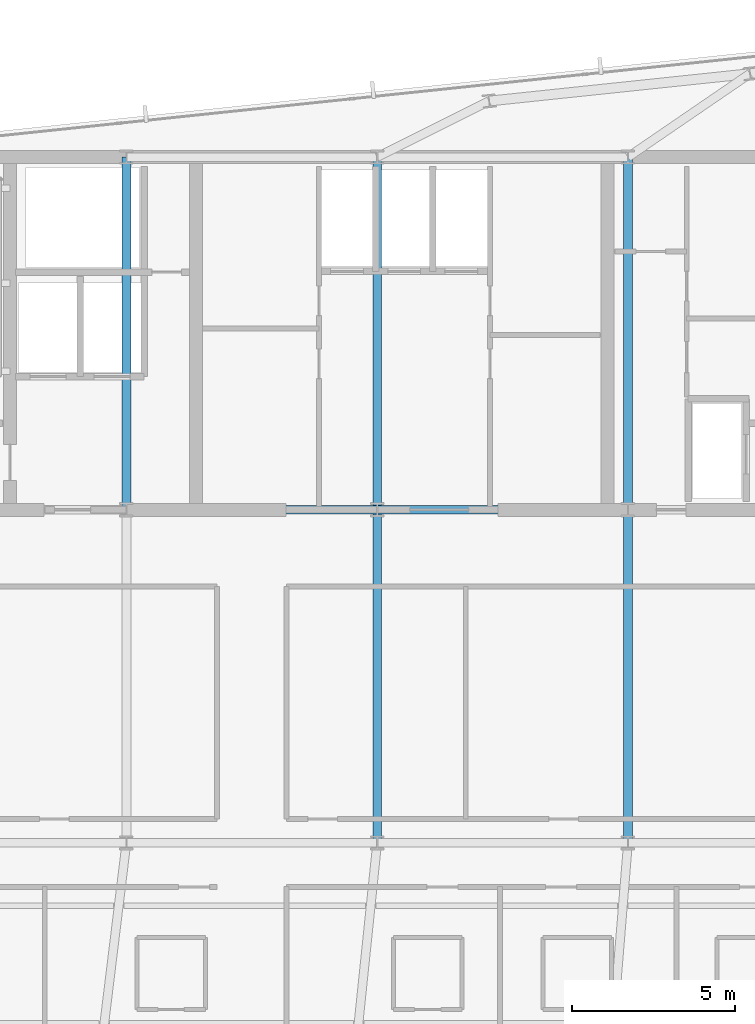
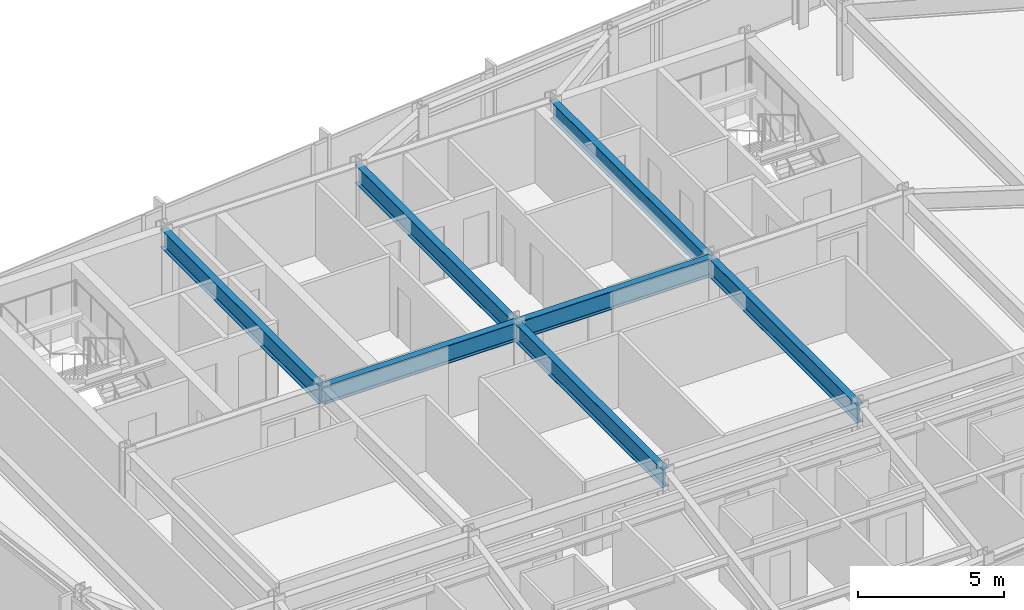
# One storey, part 13 of 33: 7 beams.
"""IFC4 building model written with IfcOpenShell, lengths in metres."""

from ifc_helpers import new_model, si_unit, direction, frame, origin, origin_2d, place, context, subcontext, project, spatial, i_section, extrude, material, material_profile, profile_set, type_object, element, save


model = new_model("IFC4")

# Units and contexts
model_context = context("Model", 3, precision=1e-05, world=origin(), true_north=direction((0.0, 1.0)))
body_context = subcontext(model_context, "Body", "Model", "MODEL_VIEW")
ifc_project = project(units=[si_unit("LENGTHUNIT", "METRE"), si_unit("AREAUNIT", "SQUARE_METRE"), si_unit("VOLUMEUNIT", "CUBIC_METRE"), si_unit("PLANEANGLEUNIT", "RADIAN"), si_unit("MASSUNIT", "GRAM", prefix="KILO")], contexts=[model_context])

# Site, building, storey
site_placement = place(None, origin())
site = spatial("IfcSite", under=ifc_project, at=site_placement, CompositionType="ELEMENT")
building_placement = place(site_placement, origin())
building = spatial("IfcBuilding", under=site, at=building_placement, Name="Yelkora Congress Tower", CompositionType="ELEMENT")
storey_placement = place(building_placement, frame((0.0, 0.0, 224.300048828125)))
storey = spatial("IfcBuildingStorey", under=building, at=storey_placement, Name="L62", CompositionType="ELEMENT", Elevation=224.300048828125)

# Beams
ifc_material = material(Name="Steel S355J2", Category="steel")
ifc_material_profile = material_profile(ifc_material, i_section(OverallWidth=0.26708984375, OverallDepth=0.761962890625, WebThickness=0.014404296875, FlangeThickness=0.021484375, FilletRadius=0.01708984375, at=origin_2d()), Name="IPE 750x173")
ifc_profile_set = profile_set([ifc_material_profile], Name="Steel S355J2")
beam_type = type_object("IfcBeamType", Name="BM-GIRD-IPE750", PredefinedType="BEAM", material=ifc_profile_set)
beam_1_placement = place(storey_placement, frame((30.719970703125, 35.39990234375, 2.698974609375), z_axis=(1.0, 0.0, 0.0), x_axis=(0.0, 1.0, 0.0)))
element("IfcBeam", 1, at=beam_1_placement, inside=storey, type_object=beam_type, Name="L62 Core South Girder 2", PredefinedType="BEAM", context=body_context, shape_type="SweptSolid", body=[
    extrude(i_section(OverallWidth=0.26708984375, OverallDepth=0.761962890625, WebThickness=0.014404296875, FlangeThickness=0.021484375, FilletRadius=0.01708984375, at=origin_2d()), origin(), (0.0, 0.0, 1.0), 7.679931640625),
])
beam_2_placement = place(storey_placement, frame((38.39990234375, 35.39990234375, 2.698974609375), z_axis=(1.0, 0.0, 0.0), x_axis=(0.0, 1.0, 0.0)))
element("IfcBeam", 2, at=beam_2_placement, inside=storey, type_object=beam_type, Name="L62 Core South Girder 3", PredefinedType="BEAM", context=body_context, shape_type="SweptSolid", body=[
    extrude(i_section(OverallWidth=0.26708984375, OverallDepth=0.761962890625, WebThickness=0.014404296875, FlangeThickness=0.021484375, FilletRadius=0.01708984375, at=origin_2d()), origin(), (0.0, 0.0, 1.0), 7.68017578125),
])
beam_3_placement = place(storey_placement, frame((30.719970703125, 35.39990234375, 2.698974609375), z_axis=(0.0, 1.0, 0.0), x_axis=(-1.0, 0.0, 0.0)))
element("IfcBeam", 3, at=beam_3_placement, inside=storey, type_object=beam_type, Name="L62 Core Tie Girder MC-S2", PredefinedType="BEAM", context=body_context, shape_type="SweptSolid", body=[
    extrude(i_section(OverallWidth=0.26708984375, OverallDepth=0.761962890625, WebThickness=0.014404296875, FlangeThickness=0.021484375, FilletRadius=0.01708984375, at=origin_2d()), origin(), (0.0, 0.0, 1.0), 10.800048828125),
])
beam_4_placement = place(storey_placement, frame((38.39990234375, 25.199951171875, 2.698974609375), z_axis=(0.0, 1.0, 0.0), x_axis=(-1.0, 0.0, 0.0)))
element("IfcBeam", 4, at=beam_4_placement, inside=storey, type_object=beam_type, Name="L62 Core Tie Girder MC-D3", PredefinedType="BEAM", context=body_context, shape_type="SweptSolid", body=[
    extrude(i_section(OverallWidth=0.26708984375, OverallDepth=0.761962890625, WebThickness=0.014404296875, FlangeThickness=0.021484375, FilletRadius=0.01708984375, at=origin_2d()), origin(), (0.0, 0.0, 1.0), 10.199951171875),
])
beam_5_placement = place(storey_placement, frame((38.39990234375, 35.39990234375, 2.698974609375), z_axis=(0.0, 1.0, 0.0), x_axis=(-1.0, 0.0, 0.0)))
element("IfcBeam", 5, at=beam_5_placement, inside=storey, type_object=beam_type, Name="L62 Core Tie Girder MC-S3", PredefinedType="BEAM", context=body_context, shape_type="SweptSolid", body=[
    extrude(i_section(OverallWidth=0.26708984375, OverallDepth=0.761962890625, WebThickness=0.014404296875, FlangeThickness=0.021484375, FilletRadius=0.01708984375, at=origin_2d()), origin(), (0.0, 0.0, 1.0), 10.800048828125),
])
beam_6_placement = place(storey_placement, frame((46.080078125, 25.199951171875, 2.698974609375), z_axis=(0.0, 1.0, 0.0), x_axis=(-1.0, 0.0, 0.0)))
element("IfcBeam", 6, at=beam_6_placement, inside=storey, type_object=beam_type, Name="L62 Core Tie Girder MC-D4", PredefinedType="BEAM", context=body_context, shape_type="SweptSolid", body=[
    extrude(i_section(OverallWidth=0.26708984375, OverallDepth=0.761962890625, WebThickness=0.014404296875, FlangeThickness=0.021484375, FilletRadius=0.01708984375, at=origin_2d()), origin(), (0.0, 0.0, 1.0), 10.199951171875),
])
beam_7_placement = place(storey_placement, frame((46.080078125, 35.39990234375, 2.698974609375), z_axis=(0.0, 1.0, 0.0), x_axis=(-1.0, 0.0, 0.0)))
element("IfcBeam", 7, at=beam_7_placement, inside=storey, type_object=beam_type, Name="L62 Core Tie Girder MC-S4", PredefinedType="BEAM", context=body_context, shape_type="SweptSolid", body=[
    extrude(i_section(OverallWidth=0.26708984375, OverallDepth=0.761962890625, WebThickness=0.014404296875, FlangeThickness=0.021484375, FilletRadius=0.01708984375, at=origin_2d()), origin(), (0.0, 0.0, 1.0), 10.800048828125),
])

save(model, "model.ifc")
